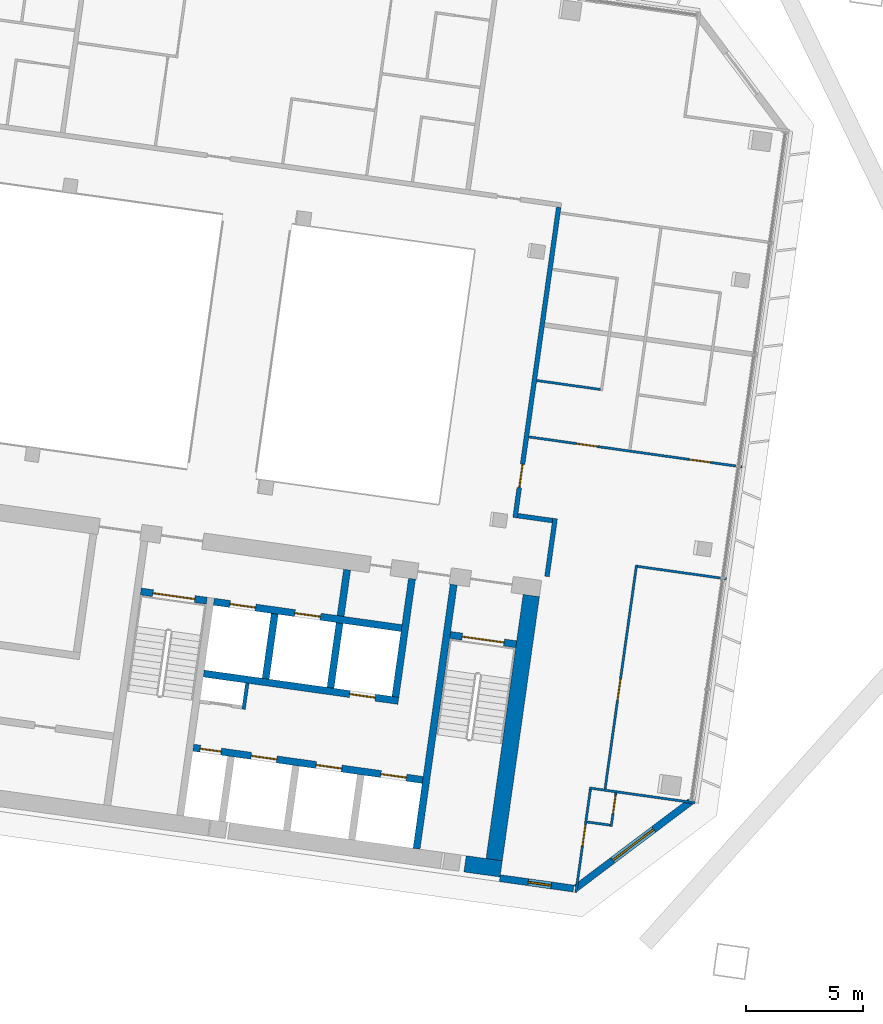
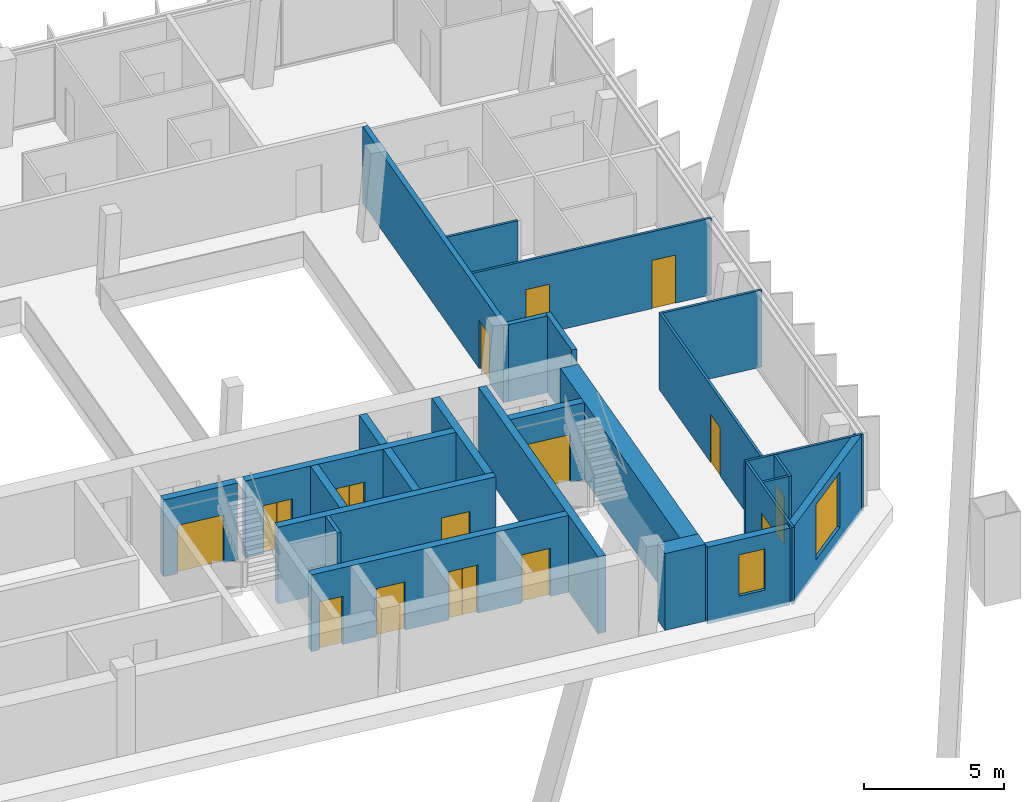
# One storey, part 17 of 26: 26 walls, 15 doors, 2 windows, 17 openings.
"""IFC4 building model written with IfcOpenShell, lengths in metres."""

from ifc_helpers import new_model, si_unit, direction, frame, frame_2d, origin, place, context, subcontext, project, spatial, rectangle, extrude, material, layer, layer_set, type_object, element, fill, save


model = new_model("IFC4")

# Units and contexts
model_context = context("Model", 3, precision=1e-05, world=origin(), true_north=direction((0.0, 1.0)))
body_context = subcontext(model_context, "Body", "Model", "MODEL_VIEW")
ifc_project = project(units=[si_unit("LENGTHUNIT", "METRE"), si_unit("AREAUNIT", "SQUARE_METRE"), si_unit("VOLUMEUNIT", "CUBIC_METRE"), si_unit("PLANEANGLEUNIT", "RADIAN"), si_unit("MASSUNIT", "GRAM", prefix="KILO")], contexts=[model_context])

# Site, building, storey
site_placement = place(None, origin())
site = spatial("IfcSite", under=ifc_project, at=site_placement, CompositionType="ELEMENT")
building_placement = place(site_placement, origin())
building = spatial("IfcBuilding", under=site, at=building_placement, Name="Mirante Cascada Hotel Towers", CompositionType="ELEMENT")
storey_placement = place(building_placement, frame((0.0, 0.0, 203.0)))
storey = spatial("IfcBuildingStorey", under=building, at=storey_placement, Name="L48", CompositionType="ELEMENT", Elevation=203.0)

# Walls
ifc_material_1 = material(Name="Fire-rated plasterboard on metal studs")
ifc_layer_1 = layer(ifc_material_1, 0.2)
ifc_layer_set_1 = layer_set([ifc_layer_1], Name="Compartment wall 200 EI 120")
wall_type_1 = type_object("IfcWallType", Name="Compartment wall 200 EI 120", PredefinedType="PARTITIONING", material=ifc_layer_set_1)
wall_1_placement = place(storey_placement, frame((-35.0284, -4.7267, 0.0), z_axis=(0.0, 0.0, 1.0), x_axis=(-0.9902735, 0.1391343, 0.0)))
element("IfcWall", 1, at=wall_1_placement, inside=storey, type_object=wall_type_1, Name="Wall 1-L48-07", PredefinedType="PARTITIONING", context=body_context, shape_type="SweptSolid", body=[
    extrude(rectangle(XDim=1.5, YDim=0.2, at=frame_2d((0.75, 0.0))), origin(), (0.0, 0.0, 1.0), 3.35),
])
wall_2_placement = place(storey_placement, frame((-35.2634, -7.1173, 0.0), z_axis=(0.0, 0.0, 1.0), x_axis=(0.1391586, 0.9902701, 0.0)))
element("IfcWall", 2, at=wall_2_placement, inside=storey, type_object=wall_type_1, Name="Wall 1-L48-37", PredefinedType="PARTITIONING", context=body_context, shape_type="SweptSolid", body=[
    extrude(rectangle(XDim=2.5, YDim=0.2, at=frame_2d((1.25, 0.0))), origin(), (0.0, 0.0, 1.0), 3.35),
])

# Wall, opening, door
wall_3_placement = place(storey_placement, frame((-34.7618, 8.6665, 0.0), z_axis=(0.0, 0.0, 1.0), x_axis=(-0.1391789, -0.9902673, 0.0)))
wall_3 = element("IfcWall", 3, at=wall_3_placement, inside=storey, type_object=wall_type_1, Name="Wall 1-L48-38", PredefinedType="PARTITIONING", context=body_context, shape_type="SweptSolid", body=[
    extrude(rectangle(XDim=13.4, YDim=0.2, at=frame_2d((6.7, 0.0))), origin(), (0.0, 0.0, 1.0), 3.35),
])
opening_1_placement = place(wall_3_placement, frame((11.1, 0.0, 0.0)))
opening_1 = element("IfcOpeningElement", 4, at=opening_1_placement, cuts=wall_3, Name="Opening D1-L48-24", PredefinedType="OPENING", context=body_context, shape_type="SweptSolid", body=[
    extrude(rectangle(XDim=1.0, YDim=2.1, at=frame_2d((0.5, 1.05))), frame((0.0, 0.1, 0.0), z_axis=(0.0, -1.0, 0.0), x_axis=(1.0, 0.0, 0.0)), (0.0, 0.0, 1.0), 0.2),
])
ifc_material_2 = material(Name="Fire-rated timber door leaf", Category="wood")
door_type_1 = type_object("IfcDoorType", Name="Entrance door DG1 1000x2100 EI 60", OperationType="SINGLE_SWING_LEFT", PredefinedType="DOOR", material=ifc_material_2)
door_1_placement = place(opening_1_placement, origin())
door_1 = element("IfcDoor", 5, at=door_1_placement, inside=storey, type_object=door_type_1, Name="Door D1-L48-24", OperationType="SINGLE_SWING_LEFT", OverallHeight=2.1, OverallWidth=1.0, PredefinedType="DOOR", context=body_context, shape_type="SweptSolid", body=[
    extrude(rectangle(XDim=1.0, YDim=2.1, at=frame_2d((0.5, 1.05))), frame((0.0, 0.025, 0.0), z_axis=(0.0, -1.0, 0.0), x_axis=(1.0, 0.0, 0.0)), (0.0, 0.0, 1.0), 0.05),
])
fill(opening_1, door_1)

# Walls
ifc_material_3 = material(Name="Masonry block", Category="masonry")
ifc_layer_2 = layer(ifc_material_3, 0.15)
ifc_layer_set_2 = layer_set([ifc_layer_2], Name="Core room partition 150 block EI 30")
wall_type_2 = type_object("IfcWallType", Name="Core room partition 150 block EI 30", PredefinedType="PARTITIONING", material=ifc_layer_set_2)
wall_4_placement = place(storey_placement, frame((-48.2295, -12.793, 0.0), z_axis=(0.0, 0.0, 1.0), x_axis=(0.1391935, 0.9902652, 0.0)))
element("IfcWall", 6, at=wall_4_placement, inside=storey, type_object=wall_type_2, Name="Core wall partition T1 L48 2", PredefinedType="PARTITIONING", context=body_context, shape_type="SweptSolid", body=[
    extrude(rectangle(XDim=1.1251, YDim=0.15, at=frame_2d((0.5626, 0.0))), origin(), (0.0, 0.0, 1.0), 3.35),
])
ifc_material_4 = material(Name="Masonry block", Category="masonry")
ifc_layer_3 = layer(ifc_material_4, 0.3)
ifc_layer_set_3 = layer_set([ifc_layer_3], Name="Core wall 300 block EI 120")
wall_type_3 = type_object("IfcWallType", Name="Core wall 300 block EI 120", PredefinedType="PARTITIONING", material=ifc_layer_set_3)
wall_5_placement = place(storey_placement, frame((-44.0843, -8.8061, 0.0), z_axis=(0.0, 0.0, 1.0), x_axis=(0.1391951, 0.990265, 0.0)))
element("IfcWall", 7, at=wall_5_placement, inside=storey, type_object=wall_type_3, Name="Core wall partition T1 L48 1", PredefinedType="PARTITIONING", context=body_context, shape_type="SweptSolid", body=[
    extrude(rectangle(XDim=2.0001, YDim=0.3, at=frame_2d((1.0001, 0.0))), origin(), (0.0, 0.0, 1.0), 3.35),
])
ifc_material_5 = material(Name="Plasterboard on metal studs")
ifc_layer_4 = layer(ifc_material_5, 0.1)
ifc_layer_set_4 = layer_set([ifc_layer_4], Name="Partition 100")
wall_type_4 = type_object("IfcWallType", Name="Partition 100", PredefinedType="PARTITIONING", material=ifc_layer_set_4)
wall_6_placement = place(storey_placement, frame((-32.5621, -17.7467, 0.0), z_axis=(0.0, 0.0, 1.0), x_axis=(-0.990265, 0.1391951, 0.0)))
element("IfcWall", 8, at=wall_6_placement, inside=storey, type_object=wall_type_4, Name="Wall 1-L48-01", PredefinedType="PARTITIONING", context=body_context, shape_type="SweptSolid", body=[
    extrude(rectangle(XDim=1.0, YDim=0.1, at=frame_2d((0.5, 0.0))), origin(), (0.0, 0.0, 1.0), 3.35),
])
wall_7_placement = place(storey_placement, frame((-33.4496, -16.1577, 0.0), z_axis=(0.0, 0.0, 1.0), x_axis=(0.9902691, -0.1391656, 0.0)))
element("IfcWall", 9, at=wall_7_placement, inside=storey, type_object=wall_type_4, Name="Wall 1-L48-02", PredefinedType="PARTITIONING", context=body_context, shape_type="SweptSolid", body=[
    extrude(rectangle(XDim=4.55, YDim=0.1, at=frame_2d((2.275, 0.0))), origin(), (0.0, 0.0, 1.0), 3.35),
])
wall_8_placement = place(storey_placement, frame((-27.5986, -7.2183, 0.0), z_axis=(0.0, 0.0, 1.0), x_axis=(-0.9902669, 0.1391813, 0.0)))
element("IfcWall", 10, at=wall_8_placement, inside=storey, type_object=wall_type_4, Name="Wall 1-L48-05", PredefinedType="PARTITIONING", context=body_context, shape_type="SweptSolid", body=[
    extrude(rectangle(XDim=3.8317, YDim=0.1, at=frame_2d((1.9158, 0.0))), origin(), (0.0, 0.0, 1.0), 3.35),
])

# Wall, openings, doors
wall_9_placement = place(storey_placement, frame((-36.0406, -1.151, 0.0), z_axis=(0.0, 0.0, 1.0), x_axis=(0.9902679, -0.1391744, 0.0)))
wall_9 = element("IfcWall", 11, at=wall_9_placement, inside=storey, type_object=wall_type_4, Name="Wall 1-L48-08", PredefinedType="PARTITIONING", context=body_context, shape_type="SweptSolid", body=[
    extrude(rectangle(XDim=9.2043, YDim=0.1, at=frame_2d((4.6022, 0.0))), origin(), (0.0, 0.0, 1.0), 3.35),
])
opening_2_placement = place(wall_9_placement, frame((6.9282, 0.0, 0.0)))
opening_2 = element("IfcOpeningElement", 12, at=opening_2_placement, cuts=wall_9, Name="Opening D1-L48-02", PredefinedType="OPENING", context=body_context, shape_type="SweptSolid", body=[
    extrude(rectangle(XDim=0.9, YDim=2.1, at=frame_2d((0.45, 1.05))), frame((0.0, 0.05, 0.0), z_axis=(0.0, -1.0, 0.0), x_axis=(1.0, 0.0, 0.0)), (0.0, 0.0, 1.0), 0.1),
])
opening_3_placement = place(wall_9_placement, frame((2.0761, 0.0, 0.0)))
opening_3 = element("IfcOpeningElement", 13, at=opening_3_placement, cuts=wall_9, Name="Opening D1-L48-03", PredefinedType="OPENING", context=body_context, shape_type="SweptSolid", body=[
    extrude(rectangle(XDim=0.9, YDim=2.1, at=frame_2d((0.45, 1.05))), frame((0.0, 0.05, 0.0), z_axis=(0.0, -1.0, 0.0), x_axis=(1.0, 0.0, 0.0)), (0.0, 0.0, 1.0), 0.1),
])
ifc_material_6 = material(Name="Timber door leaf", Category="wood")
door_type_2 = type_object("IfcDoorType", Name="Room door DG3 900x2100", OperationType="SINGLE_SWING_LEFT", PredefinedType="DOOR", material=ifc_material_6)
door_2_placement = place(opening_2_placement, frame((0.9, 0.0, 0.0), z_axis=(0.0, 0.0, 1.0), x_axis=(-1.0, 0.0, 0.0)))
door_2 = element("IfcDoor", 14, at=door_2_placement, inside=storey, type_object=door_type_2, Name="Door D1-L48-02", OperationType="SINGLE_SWING_RIGHT", OverallHeight=2.1, OverallWidth=0.9, PredefinedType="DOOR", context=body_context, shape_type="SweptSolid", body=[
    extrude(rectangle(XDim=0.9, YDim=2.1, at=frame_2d((0.45, 1.05))), frame((0.0, 0.025, 0.0), z_axis=(0.0, -1.0, 0.0), x_axis=(1.0, 0.0, 0.0)), (0.0, 0.0, 1.0), 0.05),
])
fill(opening_2, door_2)
door_3_placement = place(opening_3_placement, frame((0.9, 0.0, 0.0), z_axis=(0.0, 0.0, 1.0), x_axis=(-1.0, 0.0, 0.0)))
door_3 = element("IfcDoor", 15, at=door_3_placement, inside=storey, type_object=door_type_2, Name="Door D1-L48-03", OperationType="SINGLE_SWING_RIGHT", OverallHeight=2.1, OverallWidth=0.9, PredefinedType="DOOR", context=body_context, shape_type="SweptSolid", body=[
    extrude(rectangle(XDim=0.9, YDim=2.1, at=frame_2d((0.45, 1.05))), frame((0.0, 0.025, 0.0), z_axis=(0.0, -1.0, 0.0), x_axis=(1.0, 0.0, 0.0)), (0.0, 0.0, 1.0), 0.05),
])
fill(opening_3, door_3)

# Wall
wall_10_placement = place(storey_placement, frame((-35.702, 1.2586, 0.0), z_axis=(0.0, 0.0, 1.0), x_axis=(0.9902648, -0.1391963, 0.0)))
element("IfcWall", 16, at=wall_10_placement, inside=storey, type_object=wall_type_4, Name="Wall 1-L48-12", PredefinedType="PARTITIONING", context=body_context, shape_type="SweptSolid", body=[
    extrude(rectangle(XDim=2.7501, YDim=0.1, at=frame_2d((1.3751, 0.0))), origin(), (0.0, 0.0, 1.0), 3.35),
])

# Wall, opening, door
wall_11_placement = place(storey_placement, frame((-32.5196, -17.8031, 0.0), z_axis=(0.0, 0.0, 1.0), x_axis=(0.1391714, 0.9902683, 0.0)))
wall_11 = element("IfcWall", 17, at=wall_11_placement, inside=storey, type_object=wall_type_4, Name="Wall 1-L48-31", PredefinedType="PARTITIONING", context=body_context, shape_type="SweptSolid", body=[
    extrude(rectangle(XDim=1.45, YDim=0.1, at=frame_2d((0.725, 0.0))), origin(), (0.0, 0.0, 1.0), 3.35),
])
opening_4_placement = place(wall_11_placement, frame((0.55, 0.0, 0.0)))
opening_4 = element("IfcOpeningElement", 18, at=opening_4_placement, cuts=wall_11, Name="Opening D1-L48-18", PredefinedType="OPENING", context=body_context, shape_type="SweptSolid", body=[
    extrude(rectangle(XDim=0.8, YDim=2.1, at=frame_2d((0.4, 1.05))), frame((0.0, 0.05, 0.0), z_axis=(0.0, -1.0, 0.0), x_axis=(1.0, 0.0, 0.0)), (0.0, 0.0, 1.0), 0.1),
])
ifc_material_7 = material(Name="Timber door leaf", Category="wood")
door_type_3 = type_object("IfcDoorType", Name="Bathroom door DG4 800x2100", OperationType="SINGLE_SWING_LEFT", PredefinedType="DOOR", material=ifc_material_7)
door_4_placement = place(opening_4_placement, origin())
door_4 = element("IfcDoor", 19, at=door_4_placement, inside=storey, type_object=door_type_3, Name="Door D1-L48-18", OperationType="SINGLE_SWING_LEFT", OverallHeight=2.1, OverallWidth=0.8, PredefinedType="DOOR", context=body_context, shape_type="SweptSolid", body=[
    extrude(rectangle(XDim=0.8, YDim=2.1, at=frame_2d((0.4, 1.05))), frame((0.0, 0.025, 0.0), z_axis=(0.0, -1.0, 0.0), x_axis=(1.0, 0.0, 0.0)), (0.0, 0.0, 1.0), 0.05),
])
fill(opening_4, door_4)

wall_12_placement = place(storey_placement, frame((-31.4355, -6.6286, 0.0), z_axis=(0.0, 0.0, 1.0), x_axis=(-0.1391791, -0.9902672, 0.0)))
wall_12 = element("IfcWall", 20, at=wall_12_placement, inside=storey, type_object=wall_type_4, Name="Wall 1-L48-32", PredefinedType="PARTITIONING", context=body_context, shape_type="SweptSolid", body=[
    extrude(rectangle(XDim=9.6667, YDim=0.1, at=frame_2d((4.8334, 0.0))), origin(), (0.0, 0.0, 1.0), 3.35),
])
opening_5_placement = place(wall_12_placement, frame((4.9167, 0.0, 0.0)))
opening_5 = element("IfcOpeningElement", 21, at=opening_5_placement, cuts=wall_12, Name="Opening D1-L48-19", PredefinedType="OPENING", context=body_context, shape_type="SweptSolid", body=[
    extrude(rectangle(XDim=0.9, YDim=2.1, at=frame_2d((0.45, 1.05))), frame((0.0, 0.05, 0.0), z_axis=(0.0, -1.0, 0.0), x_axis=(1.0, 0.0, 0.0)), (0.0, 0.0, 1.0), 0.1),
])
door_5_placement = place(opening_5_placement, frame((0.9, 0.0, 0.0), z_axis=(0.0, 0.0, 1.0), x_axis=(-1.0, 0.0, 0.0)))
door_5 = element("IfcDoor", 22, at=door_5_placement, inside=storey, type_object=door_type_2, Name="Door D1-L48-19", OperationType="SINGLE_SWING_RIGHT", OverallHeight=2.1, OverallWidth=0.9, PredefinedType="DOOR", context=body_context, shape_type="SweptSolid", body=[
    extrude(rectangle(XDim=0.9, YDim=2.1, at=frame_2d((0.45, 1.05))), frame((0.0, 0.025, 0.0), z_axis=(0.0, -1.0, 0.0), x_axis=(1.0, 0.0, 0.0)), (0.0, 0.0, 1.0), 0.05),
])
fill(opening_5, door_5)

wall_13_placement = place(storey_placement, frame((-34.0264, -20.6208, 0.0), z_axis=(0.0, 0.0, 1.0), x_axis=(0.1391715, 0.9902683, 0.0)))
wall_13 = element("IfcWall", 23, at=wall_13_placement, inside=storey, type_object=wall_type_4, Name="Wall 1-L48-33", PredefinedType="PARTITIONING", context=body_context, shape_type="SweptSolid", body=[
    extrude(rectangle(XDim=4.4499, YDim=0.1, at=frame_2d((2.225, 0.0))), origin(), (0.0, 0.0, 1.0), 3.35),
])
opening_6_placement = place(wall_13_placement, frame((2.0, 0.0, 0.0)))
opening_6 = element("IfcOpeningElement", 24, at=opening_6_placement, cuts=wall_13, Name="Opening D1-L48-20", PredefinedType="OPENING", context=body_context, shape_type="SweptSolid", body=[
    extrude(rectangle(XDim=0.9, YDim=2.1, at=frame_2d((0.45, 1.05))), frame((0.0, 0.05, 0.0), z_axis=(0.0, -1.0, 0.0), x_axis=(1.0, 0.0, 0.0)), (0.0, 0.0, 1.0), 0.1),
])
door_6_placement = place(opening_6_placement, origin())
door_6 = element("IfcDoor", 25, at=door_6_placement, inside=storey, type_object=door_type_2, Name="Door D1-L48-20", OperationType="SINGLE_SWING_LEFT", OverallHeight=2.1, OverallWidth=0.9, PredefinedType="DOOR", context=body_context, shape_type="SweptSolid", body=[
    extrude(rectangle(XDim=0.9, YDim=2.1, at=frame_2d((0.45, 1.05))), frame((0.0, 0.025, 0.0), z_axis=(0.0, -1.0, 0.0), x_axis=(1.0, 0.0, 0.0)), (0.0, 0.0, 1.0), 0.05),
])
fill(opening_6, door_6)

# Wall, opening, window
ifc_material_8 = material(Name="Precast concrete C40/50", Category="concrete")
ifc_layer_5 = layer(ifc_material_8, 0.3)
ifc_layer_set_5 = layer_set([ifc_layer_5], Name="Precast concrete C40/50 cladding wall 300")
wall_type_5 = type_object("IfcWallType", Name="Precast concrete C40/50 cladding wall 300", PredefinedType="STANDARD", material=ifc_layer_set_5)
wall_14_placement = place(storey_placement, frame((-34.1284, -20.455, 0.0), z_axis=(0.0, 0.0, 1.0), x_axis=(-0.9902683, 0.1391715, 0.0)))
wall_14 = element("IfcWall", 26, at=wall_14_placement, inside=storey, type_object=wall_type_5, Name="Rear cladding wall T1 L48 1", PredefinedType="STANDARD", context=body_context, shape_type="SweptSolid", body=[
    extrude(rectangle(XDim=3.1802, YDim=0.3, at=frame_2d((1.5901, 0.0))), origin(), (0.0, 0.0, 1.0), 3.35),
])
opening_7_placement = place(wall_14_placement, frame((0.9601, 0.0, 0.9)))
opening_7 = element("IfcOpeningElement", 27, at=opening_7_placement, cuts=wall_14, Name="Opening W1-48-05", PredefinedType="OPENING", context=body_context, shape_type="SweptSolid", body=[
    extrude(rectangle(XDim=1.0, YDim=1.8, at=frame_2d((0.5, 0.9))), frame((0.0, 0.15, 0.0), z_axis=(0.0, -1.0, 0.0), x_axis=(1.0, 0.0, 0.0)), (0.0, 0.0, 1.0), 0.3),
])
ifc_material_9 = material(Name="Aluminium frame with clear double glazing", Category="aluminium")
window_type_1 = type_object("IfcWindowType", Name="Punched window 1000x1800", PartitioningType="SINGLE_PANEL", PredefinedType="WINDOW", material=ifc_material_9)
window_1_placement = place(opening_7_placement, origin())
window_1 = element("IfcWindow", 28, at=window_1_placement, inside=storey, type_object=window_type_1, Name="Window W1-48-05", OverallHeight=1.8, OverallWidth=1.0, PartitioningType="SINGLE_PANEL", PredefinedType="WINDOW", context=body_context, shape_type="SweptSolid", body=[
    extrude(rectangle(XDim=1.0, YDim=1.8, at=frame_2d((0.5, 0.9))), frame((0.0, 0.03, 0.0), z_axis=(0.0, -1.0, 0.0), x_axis=(1.0, 0.0, 0.0)), (0.0, 0.0, 1.0), 0.06),
])
fill(opening_7, window_1)

wall_15_placement = place(storey_placement, frame((-29.1333, -16.7458, 0.0), z_axis=(0.0, 0.0, 1.0), x_axis=(-0.7986283, -0.6018245, 0.0)))
wall_15 = element("IfcWall", 29, at=wall_15_placement, inside=storey, type_object=wall_type_5, Name="Corner cladding wall T1 L48 inner rear", PredefinedType="STANDARD", context=body_context, shape_type="SweptSolid", body=[
    extrude(rectangle(XDim=6.1157, YDim=0.3, at=frame_2d((3.0578, 0.0))), origin(), (0.0, 0.0, 1.0), 3.35),
])
opening_8_placement = place(wall_15_placement, frame((1.9578, 0.0, 0.6)))
opening_8 = element("IfcOpeningElement", 30, at=opening_8_placement, cuts=wall_15, Name="Opening W1-48-04", PredefinedType="OPENING", context=body_context, shape_type="SweptSolid", body=[
    extrude(rectangle(XDim=2.2, YDim=2.4, at=frame_2d((1.1, 1.2))), frame((0.0, 0.15, 0.0), z_axis=(0.0, -1.0, 0.0), x_axis=(1.0, 0.0, 0.0)), (0.0, 0.0, 1.0), 0.3),
])
ifc_material_10 = material(Name="Aluminium frame with clear double glazing", Category="aluminium")
window_type_2 = type_object("IfcWindowType", Name="Corner suite window 2200x2400", PartitioningType="DOUBLE_PANEL_VERTICAL", PredefinedType="WINDOW", material=ifc_material_10)
window_2_placement = place(opening_8_placement, origin())
window_2 = element("IfcWindow", 31, at=window_2_placement, inside=storey, type_object=window_type_2, Name="Window W1-48-04", OverallHeight=2.4, OverallWidth=2.2, PartitioningType="SINGLE_PANEL", PredefinedType="WINDOW", context=body_context, shape_type="SweptSolid", body=[
    extrude(rectangle(XDim=2.2, YDim=2.4, at=frame_2d((1.1, 1.2))), frame((0.0, 0.03, 0.0), z_axis=(0.0, -1.0, 0.0), x_axis=(1.0, 0.0, 0.0)), (0.0, 0.0, 1.0), 0.06),
])
fill(opening_8, window_2)

# Wall
ifc_material_11 = material(Name="Concrete C50/60", Category="concrete")
ifc_layer_6 = layer(ifc_material_11, 0.3)
ifc_layer_set_6 = layer_set([ifc_layer_6], Name="RC core wall 300 C50/60")
wall_type_6 = type_object("IfcWallType", Name="RC core wall 300 C50/60", PredefinedType="SHEAR", material=ifc_layer_set_6)
wall_16_placement = place(storey_placement, frame((-40.8373, -18.7548, 0.0), z_axis=(0.0, 0.0, 1.0), x_axis=(0.1391749, 0.9902678, 0.0)))
element("IfcWall", 32, at=wall_16_placement, inside=storey, type_object=wall_type_6, Name="Core wall T1:L48:5", PredefinedType="SHEAR", context=body_context, shape_type="SweptSolid", body=[
    extrude(rectangle(XDim=11.4, YDim=0.3, at=frame_2d((5.7, 0.0))), origin(), (0.0, 0.0, 1.0), 3.35),
])

# Wall, opening, door
wall_17_placement = place(storey_placement, frame((-36.5791, -10.0123, 0.0), z_axis=(0.0, 0.0, 1.0), x_axis=(-0.9902704, 0.1391564, 0.0)))
wall_17 = element("IfcWall", 33, at=wall_17_placement, inside=storey, type_object=wall_type_6, Name="Core wall T1:L48:8", PredefinedType="SHEAR", context=body_context, shape_type="SweptSolid", body=[
    extrude(rectangle(XDim=2.85, YDim=0.3, at=frame_2d((1.425, 0.0))), origin(), (0.0, 0.0, 1.0), 3.35),
])
opening_9_placement = place(wall_17_placement, frame((0.525, 0.0, 0.0)))
opening_9 = element("IfcOpeningElement", 34, at=opening_9_placement, cuts=wall_17, Name="Opening D1-48-C07", PredefinedType="OPENING", context=body_context, shape_type="SweptSolid", body=[
    extrude(rectangle(XDim=1.8, YDim=2.1, at=frame_2d((0.9, 1.05))), frame((0.0, 0.15, 0.0), z_axis=(0.0, -1.0, 0.0), x_axis=(1.0, 0.0, 0.0)), (0.0, 0.0, 1.0), 0.3),
])
ifc_material_12 = material(Name="Hollow metal fire door leaf")
door_type_4 = type_object("IfcDoorType", Name="Double fire door 1800x2100 FD60", OperationType="DOUBLE_DOOR_SINGLE_SWING", PredefinedType="DOOR", material=ifc_material_12)
door_7_placement = place(opening_9_placement, origin())
door_7 = element("IfcDoor", 35, at=door_7_placement, inside=storey, type_object=door_type_4, Name="Stair door T1 L48 7", OperationType="DOUBLE_DOOR_SINGLE_SWING", OverallHeight=2.1, OverallWidth=1.8, PredefinedType="DOOR", context=body_context, shape_type="SweptSolid", body=[
    extrude(rectangle(XDim=0.895, YDim=2.1, at=frame_2d((0.4475, 1.05))), frame((0.0, 0.025, 0.0), z_axis=(0.0, -1.0, 0.0), x_axis=(1.0, 0.0, 0.0)), (0.0, 0.0, 1.0), 0.05),
    extrude(rectangle(XDim=0.895, YDim=2.1, at=frame_2d((1.3525, 1.05))), frame((0.0, 0.025, 0.0), z_axis=(0.0, -1.0, 0.0), x_axis=(1.0, 0.0, 0.0)), (0.0, 0.0, 1.0), 0.05),
])
fill(opening_9, door_7)

wall_18_placement = place(storey_placement, frame((-49.7992, -8.1544, 0.0), z_axis=(0.0, 0.0, 1.0), x_axis=(-0.9902656, 0.1391909, 0.0)))
wall_18 = element("IfcWall", 36, at=wall_18_placement, inside=storey, type_object=wall_type_6, Name="Core wall T1:L48:9", PredefinedType="SHEAR", context=body_context, shape_type="SweptSolid", body=[
    extrude(rectangle(XDim=2.85, YDim=0.3, at=frame_2d((1.425, 0.0))), origin(), (0.0, 0.0, 1.0), 3.35),
])
opening_10_placement = place(wall_18_placement, frame((0.525, 0.0, 0.0)))
opening_10 = element("IfcOpeningElement", 37, at=opening_10_placement, cuts=wall_18, Name="Opening D1-48-C09", PredefinedType="OPENING", context=body_context, shape_type="SweptSolid", body=[
    extrude(rectangle(XDim=1.8, YDim=2.1, at=frame_2d((0.9, 1.05))), frame((0.0, 0.15, 0.0), z_axis=(0.0, -1.0, 0.0), x_axis=(1.0, 0.0, 0.0)), (0.0, 0.0, 1.0), 0.3),
])
door_8_placement = place(opening_10_placement, origin())
door_8 = element("IfcDoor", 38, at=door_8_placement, inside=storey, type_object=door_type_4, Name="Stair door T1 L48 9", OperationType="DOUBLE_DOOR_SINGLE_SWING", OverallHeight=2.1, OverallWidth=1.8, PredefinedType="DOOR", context=body_context, shape_type="SweptSolid", body=[
    extrude(rectangle(XDim=0.895, YDim=2.1, at=frame_2d((0.4475, 1.05))), frame((0.0, 0.025, 0.0), z_axis=(0.0, -1.0, 0.0), x_axis=(1.0, 0.0, 0.0)), (0.0, 0.0, 1.0), 0.05),
    extrude(rectangle(XDim=0.895, YDim=2.1, at=frame_2d((1.3525, 1.05))), frame((0.0, 0.025, 0.0), z_axis=(0.0, -1.0, 0.0), x_axis=(1.0, 0.0, 0.0)), (0.0, 0.0, 1.0), 0.05),
])
fill(opening_10, door_8)

# Wall, openings, doors
wall_19_placement = place(storey_placement, frame((-40.5753, -15.8126, 0.0), z_axis=(0.0, 0.0, 1.0), x_axis=(-0.9902682, 0.1391725, 0.0)))
wall_19 = element("IfcWall", 39, at=wall_19_placement, inside=storey, type_object=wall_type_6, Name="Core wall T1:L48:10", PredefinedType="SHEAR", context=body_context, shape_type="SweptSolid", body=[
    extrude(rectangle(XDim=9.8999, YDim=0.3, at=frame_2d((4.95, 0.0))), origin(), (0.0, 0.0, 1.0), 3.35),
])
opening_11_placement = place(wall_19_placement, frame((0.7, 0.0, 0.0)))
opening_11 = element("IfcOpeningElement", 40, at=opening_11_placement, cuts=wall_19, Name="Opening LD", PredefinedType="OPENING", context=body_context, shape_type="SweptSolid", body=[
    extrude(rectangle(XDim=1.1, YDim=2.1, at=frame_2d((0.55, 1.05))), frame((0.0, 0.15, 0.0), z_axis=(0.0, -1.0, 0.0), x_axis=(1.0, 0.0, 0.0)), (0.0, 0.0, 1.0), 0.3),
])
opening_12_placement = place(wall_19_placement, frame((3.5, 0.0, 0.0)))
opening_12 = element("IfcOpeningElement", 41, at=opening_12_placement, cuts=wall_19, Name="Opening LD", PredefinedType="OPENING", context=body_context, shape_type="SweptSolid", body=[
    extrude(rectangle(XDim=1.1, YDim=2.1, at=frame_2d((0.55, 1.05))), frame((0.0, 0.15, 0.0), z_axis=(0.0, -1.0, 0.0), x_axis=(1.0, 0.0, 0.0)), (0.0, 0.0, 1.0), 0.3),
])
opening_13_placement = place(wall_19_placement, frame((6.3, 0.0, 0.0)))
opening_13 = element("IfcOpeningElement", 42, at=opening_13_placement, cuts=wall_19, Name="Opening LD", PredefinedType="OPENING", context=body_context, shape_type="SweptSolid", body=[
    extrude(rectangle(XDim=1.1, YDim=2.1, at=frame_2d((0.55, 1.05))), frame((0.0, 0.15, 0.0), z_axis=(0.0, -1.0, 0.0), x_axis=(1.0, 0.0, 0.0)), (0.0, 0.0, 1.0), 0.3),
])
opening_14_placement = place(wall_19_placement, frame((8.7, 0.0, 0.0)))
opening_14 = element("IfcOpeningElement", 43, at=opening_14_placement, cuts=wall_19, Name="Opening D1-48-C14", PredefinedType="OPENING", context=body_context, shape_type="SweptSolid", body=[
    extrude(rectangle(XDim=0.9, YDim=2.1, at=frame_2d((0.45, 1.05))), frame((0.0, 0.15, 0.0), z_axis=(0.0, -1.0, 0.0), x_axis=(1.0, 0.0, 0.0)), (0.0, 0.0, 1.0), 0.3),
])
ifc_material_13 = material(Name="Hollow metal fire door leaf")
door_type_5 = type_object("IfcDoorType", Name="Fire door 900x2100 FD60", OperationType="NOTDEFINED", PredefinedType="DOOR", material=ifc_material_13)
door_9_placement = place(opening_14_placement, origin())
door_9 = element("IfcDoor", 44, at=door_9_placement, inside=storey, type_object=door_type_5, Name="Riser door T1 L48 14", OperationType="SINGLE_SWING_LEFT", OverallHeight=2.1, OverallWidth=0.9, PredefinedType="DOOR", context=body_context, shape_type="SweptSolid", body=[
    extrude(rectangle(XDim=0.9, YDim=2.1, at=frame_2d((0.45, 1.05))), frame((0.0, 0.025, 0.0), z_axis=(0.0, -1.0, 0.0), x_axis=(1.0, 0.0, 0.0)), (0.0, 0.0, 1.0), 0.05),
])
fill(opening_14, door_9)
ifc_material_14 = material(Name="Stainless steel", Category="steel")
door_type_6 = type_object("IfcDoorType", Name="Lift landing door 1100x2100 EI 120", OperationType="DOUBLE_DOOR_SLIDING", PredefinedType="DOOR", material=ifc_material_14)
door_10_placement = place(opening_11_placement, origin())
door_10 = element("IfcDoor", 45, at=door_10_placement, inside=storey, type_object=door_type_6, Name="Lift landing door HR1-1 L48", OperationType="DOUBLE_DOOR_SLIDING", OverallHeight=2.1, OverallWidth=1.1, PredefinedType="DOOR", context=body_context, shape_type="SweptSolid", body=[
    extrude(rectangle(XDim=0.545, YDim=2.1, at=frame_2d((0.2725, 1.05))), frame((0.0, 0.025, 0.0), z_axis=(0.0, -1.0, 0.0), x_axis=(1.0, 0.0, 0.0)), (0.0, 0.0, 1.0), 0.05),
    extrude(rectangle(XDim=0.545, YDim=2.1, at=frame_2d((0.8275, 1.05))), frame((0.0, 0.025, 0.0), z_axis=(0.0, -1.0, 0.0), x_axis=(1.0, 0.0, 0.0)), (0.0, 0.0, 1.0), 0.05),
])
fill(opening_11, door_10)
door_11_placement = place(opening_12_placement, origin())
door_11 = element("IfcDoor", 46, at=door_11_placement, inside=storey, type_object=door_type_6, Name="Lift landing door HR1-2 L48", OperationType="DOUBLE_DOOR_SLIDING", OverallHeight=2.1, OverallWidth=1.1, PredefinedType="DOOR", context=body_context, shape_type="SweptSolid", body=[
    extrude(rectangle(XDim=0.545, YDim=2.1, at=frame_2d((0.2725, 1.05))), frame((0.0, 0.025, 0.0), z_axis=(0.0, -1.0, 0.0), x_axis=(1.0, 0.0, 0.0)), (0.0, 0.0, 1.0), 0.05),
    extrude(rectangle(XDim=0.545, YDim=2.1, at=frame_2d((0.8275, 1.05))), frame((0.0, 0.025, 0.0), z_axis=(0.0, -1.0, 0.0), x_axis=(1.0, 0.0, 0.0)), (0.0, 0.0, 1.0), 0.05),
])
fill(opening_12, door_11)
door_12_placement = place(opening_13_placement, origin())
door_12 = element("IfcDoor", 47, at=door_12_placement, inside=storey, type_object=door_type_6, Name="Lift landing door HR1-3 L48", OperationType="DOUBLE_DOOR_SLIDING", OverallHeight=2.1, OverallWidth=1.1, PredefinedType="DOOR", context=body_context, shape_type="SweptSolid", body=[
    extrude(rectangle(XDim=0.545, YDim=2.1, at=frame_2d((0.2725, 1.05))), frame((0.0, 0.025, 0.0), z_axis=(0.0, -1.0, 0.0), x_axis=(1.0, 0.0, 0.0)), (0.0, 0.0, 1.0), 0.05),
    extrude(rectangle(XDim=0.545, YDim=2.1, at=frame_2d((0.8275, 1.05))), frame((0.0, 0.025, 0.0), z_axis=(0.0, -1.0, 0.0), x_axis=(1.0, 0.0, 0.0)), (0.0, 0.0, 1.0), 0.05),
])
fill(opening_13, door_12)

# Wall, opening, door
wall_20_placement = place(storey_placement, frame((-41.6153, -12.435, 0.0), z_axis=(0.0, 0.0, 1.0), x_axis=(-0.9902691, 0.139166, 0.0)))
wall_20 = element("IfcWall", 48, at=wall_20_placement, inside=storey, type_object=wall_type_6, Name="Core wall T1:L48:11", PredefinedType="SHEAR", context=body_context, shape_type="SweptSolid", body=[
    extrude(rectangle(XDim=8.4, YDim=0.3, at=frame_2d((4.2, 0.0))), origin(), (0.0, 0.0, 1.0), 3.35),
])
opening_15_placement = place(wall_20_placement, frame((1.0, 0.0, 0.0)))
opening_15 = element("IfcOpeningElement", 49, at=opening_15_placement, cuts=wall_20, Name="Opening LD", PredefinedType="OPENING", context=body_context, shape_type="SweptSolid", body=[
    extrude(rectangle(XDim=1.1, YDim=2.1, at=frame_2d((0.55, 1.05))), frame((0.0, 0.15, 0.0), z_axis=(0.0, -1.0, 0.0), x_axis=(1.0, 0.0, 0.0)), (0.0, 0.0, 1.0), 0.3),
])
door_13_placement = place(opening_15_placement, origin())
door_13 = element("IfcDoor", 50, at=door_13_placement, inside=storey, type_object=door_type_6, Name="Lift landing door HR1-4 L48", OperationType="DOUBLE_DOOR_SLIDING", OverallHeight=2.1, OverallWidth=1.1, PredefinedType="DOOR", context=body_context, shape_type="SweptSolid", body=[
    extrude(rectangle(XDim=0.545, YDim=2.1, at=frame_2d((0.2725, 1.05))), frame((0.0, 0.025, 0.0), z_axis=(0.0, -1.0, 0.0), x_axis=(1.0, 0.0, 0.0)), (0.0, 0.0, 1.0), 0.05),
    extrude(rectangle(XDim=0.545, YDim=2.1, at=frame_2d((0.8275, 1.05))), frame((0.0, 0.025, 0.0), z_axis=(0.0, -1.0, 0.0), x_axis=(1.0, 0.0, 0.0)), (0.0, 0.0, 1.0), 0.05),
])
fill(opening_15, door_13)

# Wall, openings, doors
wall_21_placement = place(storey_placement, frame((-41.481, -9.3234, 0.0), z_axis=(0.0, 0.0, 1.0), x_axis=(-0.9902679, 0.1391741, 0.0)))
wall_21 = element("IfcWall", 51, at=wall_21_placement, inside=storey, type_object=wall_type_6, Name="Core wall T1:L48:12", PredefinedType="SHEAR", context=body_context, shape_type="SweptSolid", body=[
    extrude(rectangle(XDim=8.0999, YDim=0.3, at=frame_2d((4.05, 0.0))), origin(), (0.0, 0.0, 1.0), 3.35),
])
opening_16_placement = place(wall_21_placement, frame((3.5, 0.0, 0.0)))
opening_16 = element("IfcOpeningElement", 52, at=opening_16_placement, cuts=wall_21, Name="Opening LD", PredefinedType="OPENING", context=body_context, shape_type="SweptSolid", body=[
    extrude(rectangle(XDim=1.1, YDim=2.1, at=frame_2d((0.55, 1.05))), frame((0.0, 0.15, 0.0), z_axis=(0.0, -1.0, 0.0), x_axis=(1.0, 0.0, 0.0)), (0.0, 0.0, 1.0), 0.3),
])
opening_17_placement = place(wall_21_placement, frame((6.3, 0.0, 0.0)))
opening_17 = element("IfcOpeningElement", 53, at=opening_17_placement, cuts=wall_21, Name="Opening LD", PredefinedType="OPENING", context=body_context, shape_type="SweptSolid", body=[
    extrude(rectangle(XDim=1.1, YDim=2.1, at=frame_2d((0.55, 1.05))), frame((0.0, 0.15, 0.0), z_axis=(0.0, -1.0, 0.0), x_axis=(1.0, 0.0, 0.0)), (0.0, 0.0, 1.0), 0.3),
])
door_14_placement = place(opening_16_placement, origin())
door_14 = element("IfcDoor", 54, at=door_14_placement, inside=storey, type_object=door_type_6, Name="Lift landing door FF1 L48", OperationType="DOUBLE_DOOR_SLIDING", OverallHeight=2.1, OverallWidth=1.1, PredefinedType="DOOR", context=body_context, shape_type="SweptSolid", body=[
    extrude(rectangle(XDim=0.545, YDim=2.1, at=frame_2d((0.2725, 1.05))), frame((0.0, 0.025, 0.0), z_axis=(0.0, -1.0, 0.0), x_axis=(1.0, 0.0, 0.0)), (0.0, 0.0, 1.0), 0.05),
    extrude(rectangle(XDim=0.545, YDim=2.1, at=frame_2d((0.8275, 1.05))), frame((0.0, 0.025, 0.0), z_axis=(0.0, -1.0, 0.0), x_axis=(1.0, 0.0, 0.0)), (0.0, 0.0, 1.0), 0.05),
])
fill(opening_16, door_14)
door_15_placement = place(opening_17_placement, origin())
door_15 = element("IfcDoor", 55, at=door_15_placement, inside=storey, type_object=door_type_6, Name="Lift landing door FF2 L48", OperationType="DOUBLE_DOOR_SLIDING", OverallHeight=2.1, OverallWidth=1.1, PredefinedType="DOOR", context=body_context, shape_type="SweptSolid", body=[
    extrude(rectangle(XDim=0.545, YDim=2.1, at=frame_2d((0.2725, 1.05))), frame((0.0, 0.025, 0.0), z_axis=(0.0, -1.0, 0.0), x_axis=(1.0, 0.0, 0.0)), (0.0, 0.0, 1.0), 0.05),
    extrude(rectangle(XDim=0.545, YDim=2.1, at=frame_2d((0.8275, 1.05))), frame((0.0, 0.025, 0.0), z_axis=(0.0, -1.0, 0.0), x_axis=(1.0, 0.0, 0.0)), (0.0, 0.0, 1.0), 0.05),
])
fill(opening_17, door_15)

# Walls
for number, where, z_axis, x_axis, name in (
    (56, (-44.5157, -11.8759, 0.0), (0.0, 0.0, 1.0), (0.139181, 0.990267, 0.0), "Core wall T1:L48:16"),
    (57, (-47.2885, -11.4862, 0.0), (0.0, 0.0, 1.0), (0.139181, 0.990267, 0.0), "Core wall T1:L48:17"),
):
    element("IfcWall", number, at=place(storey_placement, frame(where, z_axis=z_axis, x_axis=x_axis)), inside=storey, type_object=wall_type_6, Name=name, PredefinedType="SHEAR", context=body_context, shape_type="SweptSolid", body=[
        extrude(rectangle(XDim=2.8, YDim=0.3, at=frame_2d((1.4, 0.0))), origin(), (0.0, 0.0, 1.0), 3.35),
    ])
wall_22_placement = place(storey_placement, frame((-41.743, -12.2656, 0.0), z_axis=(0.0, 0.0, 1.0), x_axis=(0.1391755, 0.9902677, 0.0)))
element("IfcWall", 58, at=wall_22_placement, inside=storey, type_object=wall_type_6, Name="Core wall T1:L48:18", PredefinedType="SHEAR", context=body_context, shape_type="SweptSolid", body=[
    extrude(rectangle(XDim=5.1, YDim=0.3, at=frame_2d((2.55, 0.0))), origin(), (0.0, 0.0, 1.0), 3.35),
])
ifc_material_15 = material(Name="Concrete C50/60", Category="concrete")
ifc_layer_7 = layer(ifc_material_15, 0.7)
ifc_layer_set_7 = layer_set([ifc_layer_7], Name="RC core wall 700 C50/60")
wall_type_7 = type_object("IfcWallType", Name="RC core wall 700 C50/60", PredefinedType="SHEAR", material=ifc_layer_set_7)
wall_23_placement = place(storey_placement, frame((-37.222, -19.6163, 0.0), z_axis=(0.0, 0.0, 1.0), x_axis=(-0.9902727, 0.1391398, 0.0)))
element("IfcWall", 59, at=wall_23_placement, inside=storey, type_object=wall_type_7, Name="Core wall T1:L48:1.1", PredefinedType="SHEAR", context=body_context, shape_type="SweptSolid", body=[
    extrude(rectangle(XDim=1.5589, YDim=0.7, at=frame_2d((0.7794, 0.0))), origin(), (0.0, 0.0, 1.0), 3.35),
])
wall_24_placement = place(storey_placement, frame((-37.5199, -19.221, 0.0), z_axis=(0.0, 0.0, 1.0), x_axis=(0.1391761, 0.9902677, 0.0)))
element("IfcWall", 60, at=wall_24_placement, inside=storey, type_object=wall_type_7, Name="Core wall T1:L48:3", PredefinedType="SHEAR", context=body_context, shape_type="SweptSolid", body=[
    extrude(rectangle(XDim=11.3999, YDim=0.7, at=frame_2d((5.7, 0.0))), origin(), (0.0, 0.0, 1.0), 3.35),
])

save(model, "model.ifc")
